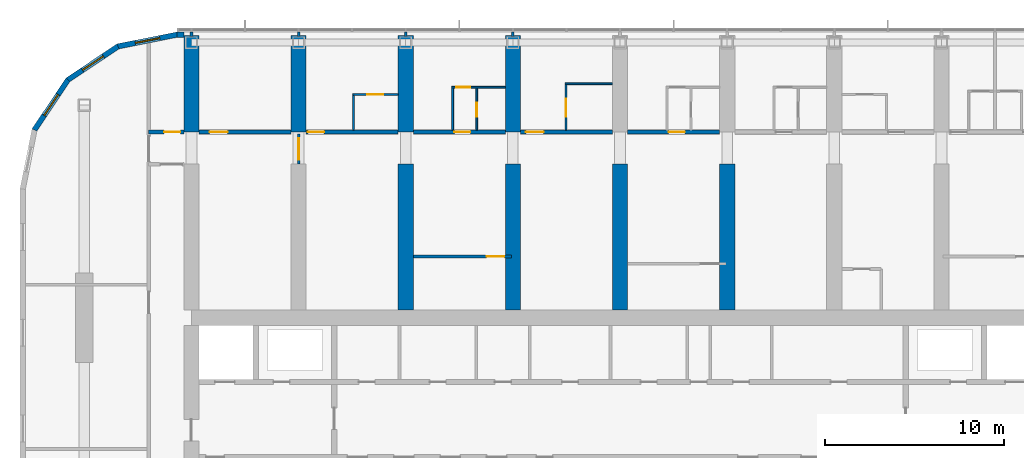
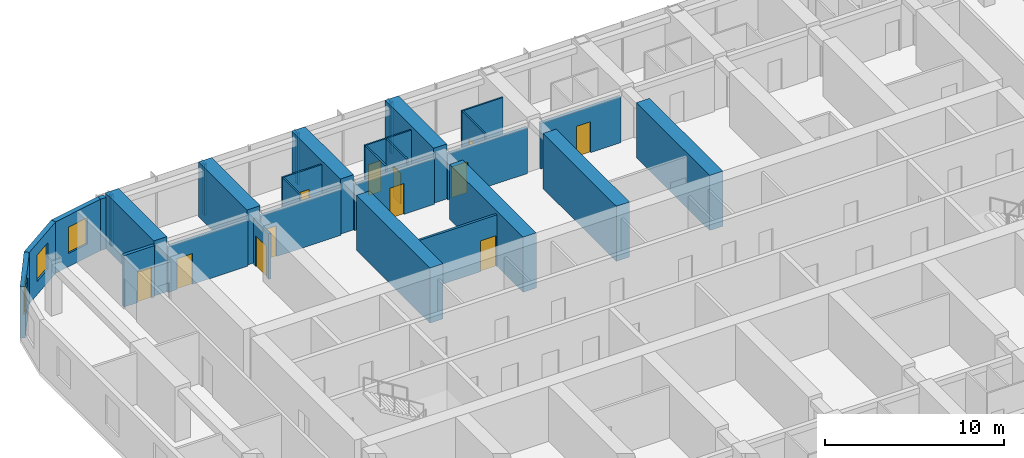
# One storey, part 15 of 22: 31 walls, 12 doors, 3 windows, 15 openings.
"""IFC4 building model written with IfcOpenShell, lengths in metres."""

from ifc_helpers import new_model, si_unit, direction, frame, frame_2d, origin, place, context, subcontext, project, spatial, polyline, rectangle, outline, extrude, material, layer, layer_set, type_object, element, fill, save


model = new_model("IFC4")

# Units and contexts
model_context = context("Model", 3, precision=1e-05, world=origin(), true_north=direction((0.0, 1.0)))
body_context = subcontext(model_context, "Body", "Model", "MODEL_VIEW")
ifc_project = project(units=[si_unit("LENGTHUNIT", "METRE"), si_unit("AREAUNIT", "SQUARE_METRE"), si_unit("VOLUMEUNIT", "CUBIC_METRE"), si_unit("PLANEANGLEUNIT", "RADIAN"), si_unit("MASSUNIT", "GRAM", prefix="KILO")], contexts=[model_context])

# Site, building, storey
site_placement = place(None, origin())
site = spatial("IfcSite", under=ifc_project, at=site_placement, CompositionType="ELEMENT")
building_placement = place(site_placement, origin())
building = spatial("IfcBuilding", under=site, at=building_placement, Name="Orbita Commons", CompositionType="ELEMENT")
storey_placement = place(building_placement, frame((0.0, 0.0, 156.10009765625)))
storey = spatial("IfcBuildingStorey", under=building, at=storey_placement, Name="L38", CompositionType="ELEMENT", Elevation=156.10009765625)

# Wall, opening, door
ifc_material_1 = material(Name="Concrete blockwork", Category="masonry")
ifc_layer_1 = layer(ifc_material_1, 0.199951171875)
ifc_layer_set_1 = layer_set([ifc_layer_1], Name="Concrete blockwork")
wall_type_1 = type_object("IfcWallType", Name="Corridor wall 200 blockwork", PredefinedType="SOLIDWALL", material=ifc_layer_set_1)
wall_1_placement = place(storey_placement, frame((15.60009765625, 48.60009765625, 0.0), z_axis=(0.0, 0.0, 1.0), x_axis=(1.0, 0.0, 0.0)))
wall_1 = element("IfcWall", 1, at=wall_1_placement, inside=storey, type_object=wall_type_1, Name="Corridor wall 200 blockwork L38", PredefinedType="SOLIDWALL", context=body_context, shape_type="SweptSolid", body=[
    extrude(rectangle(XDim=1.974853515625, YDim=0.199951171875, at=frame_2d((0.9873046875, 0.0))), origin(), (0.0, 0.0, 1.0), 3.5),
])
opening_1_placement = place(wall_1_placement, frame((0.875, 0.0, 0.0)))
opening_1 = element("IfcOpeningElement", 2, at=opening_1_placement, cuts=wall_1, Name="Opening D05", PredefinedType="OPENING", context=body_context, shape_type="SweptSolid", body=[
    extrude(rectangle(XDim=0.89990234375, YDim=2.10009765625, at=frame_2d((0.449951171875, 1.050048828125))), frame((0.0, 0.10986328125, 0.0), z_axis=(0.0, -1.0, 0.0), x_axis=(1.0, 0.0, 0.0)), (0.0, 0.0, 1.0), 0.219970703125),
])
ifc_material_2 = material(Name="Steel-faced fire door leaf", Category="steel")
door_type_1 = type_object("IfcDoorType", Name="Service door 20 min 900x2100", OperationType="SINGLE_SWING_LEFT", PredefinedType="DOOR", material=ifc_material_2)
door_1_placement = place(opening_1_placement, origin())
door_1 = element("IfcDoor", 3, at=door_1_placement, inside=storey, type_object=door_type_1, Name="Linen store L38-KWN door", OperationType="SINGLE_SWING_LEFT", OverallHeight=2.10009765625, OverallWidth=0.89990234375, PredefinedType="DOOR", context=body_context, shape_type="SweptSolid", body=[
    extrude(rectangle(XDim=0.89990234375, YDim=2.10009765625, at=frame_2d((0.449951171875, 1.050048828125))), frame((0.0, 0.02490234375, 0.0), z_axis=(0.0, -1.0, 0.0), x_axis=(1.0, 0.0, 0.0)), (0.0, 0.0, 1.0), 0.050048828125),
])
fill(opening_1, door_1)

wall_2_placement = place(storey_placement, frame((18.425048828125, 48.60009765625, 0.0), z_axis=(0.0, 0.0, 1.0), x_axis=(1.0, 0.0, 0.0)))
wall_2 = element("IfcWall", 4, at=wall_2_placement, inside=storey, type_object=wall_type_1, Name="Corridor wall 200 blockwork L38", PredefinedType="SOLIDWALL", context=body_context, shape_type="SweptSolid", body=[
    extrude(outline(polyline([(0.0, 0.0), (5.14990234375, 0.0), (5.14990234375, 3.099853515625), (0.0, 3.099853515625), (0.0, 0.0)])), frame((0.0, 0.10009765625, 0.0), z_axis=(0.0, -1.0, 0.0), x_axis=(1.0, 0.0, 0.0)), (0.0, 0.0, 1.0), 0.199951171875),
])
opening_2_placement = place(wall_2_placement, frame((0.60009765625, 0.0, 0.0)))
opening_2 = element("IfcOpeningElement", 5, at=opening_2_placement, cuts=wall_2, Name="Opening D06", PredefinedType="OPENING", context=body_context, shape_type="SweptSolid", body=[
    extrude(rectangle(XDim=1.0, YDim=2.10009765625, at=frame_2d((0.5, 1.050048828125))), frame((0.0, 0.10986328125, 0.0), z_axis=(0.0, -1.0, 0.0), x_axis=(1.0, 0.0, 0.0)), (0.0, 0.0, 1.0), 0.219970703125),
])
ifc_material_3 = material(Name="Steel-faced fire door leaf", Category="steel")
door_type_2 = type_object("IfcDoorType", Name="Corridor door 20 min 1000x2100", OperationType="SINGLE_SWING_LEFT", PredefinedType="DOOR", material=ifc_material_3)
door_2_placement = place(opening_2_placement, origin())
door_2 = element("IfcDoor", 6, at=door_2_placement, inside=storey, type_object=door_type_2, Name="Sea-view lounge L38-N00 door", OperationType="SINGLE_SWING_LEFT", OverallHeight=2.10009765625, OverallWidth=1.0, PredefinedType="DOOR", context=body_context, shape_type="SweptSolid", body=[
    extrude(rectangle(XDim=1.0, YDim=2.10009765625, at=frame_2d((0.5, 1.050048828125))), frame((0.0, 0.02490234375, 0.0), z_axis=(0.0, -1.0, 0.0), x_axis=(1.0, 0.0, 0.0)), (0.0, 0.0, 1.0), 0.050048828125),
])
fill(opening_2, door_2)

wall_3_placement = place(storey_placement, frame((24.425048828125, 48.60009765625, 0.0), z_axis=(0.0, 0.0, 1.0), x_axis=(1.0, 0.0, 0.0)))
wall_3 = element("IfcWall", 7, at=wall_3_placement, inside=storey, type_object=wall_type_1, Name="Corridor wall 200 blockwork L38", PredefinedType="SOLIDWALL", context=body_context, shape_type="SweptSolid", body=[
    extrude(outline(polyline([(0.0, 0.0), (5.14990234375, 0.0), (5.14990234375, 3.099853515625), (0.0, 3.099853515625), (0.0, 0.0)])), frame((0.0, 0.10009765625, 0.0), z_axis=(0.0, -1.0, 0.0), x_axis=(1.0, 0.0, 0.0)), (0.0, 0.0, 1.0), 0.199951171875),
])
opening_3_placement = place(wall_3_placement, frame((0.10009765625, 0.0, 0.0)))
opening_3 = element("IfcOpeningElement", 8, at=opening_3_placement, cuts=wall_3, Name="Opening D11", PredefinedType="OPENING", context=body_context, shape_type="SweptSolid", body=[
    extrude(rectangle(XDim=0.89990234375, YDim=2.10009765625, at=frame_2d((0.449951171875, 1.050048828125))), frame((0.0, 0.10986328125, 0.0), z_axis=(0.0, -1.0, 0.0), x_axis=(1.0, 0.0, 0.0)), (0.0, 0.0, 1.0), 0.219970703125),
])
ifc_material_4 = material(Name="Steel-faced fire door leaf", Category="steel")
door_type_3 = type_object("IfcDoorType", Name="Corridor door 20 min 900x2100", OperationType="SINGLE_SWING_LEFT", PredefinedType="DOOR", material=ifc_material_4)
door_3_placement = place(opening_3_placement, origin())
door_3 = element("IfcDoor", 9, at=door_3_placement, inside=storey, type_object=door_type_3, Name="Twin room L38-N02 door", OperationType="SINGLE_SWING_LEFT", OverallHeight=2.10009765625, OverallWidth=0.89990234375, PredefinedType="DOOR", context=body_context, shape_type="SweptSolid", body=[
    extrude(rectangle(XDim=0.89990234375, YDim=2.10009765625, at=frame_2d((0.449951171875, 1.050048828125))), frame((0.0, 0.02490234375, 0.0), z_axis=(0.0, -1.0, 0.0), x_axis=(1.0, 0.0, 0.0)), (0.0, 0.0, 1.0), 0.050048828125),
])
fill(opening_3, door_3)

wall_4_placement = place(storey_placement, frame((30.425048828125, 48.60009765625, 0.0), z_axis=(0.0, 0.0, 1.0), x_axis=(1.0, 0.0, 0.0)))
wall_4 = element("IfcWall", 10, at=wall_4_placement, inside=storey, type_object=wall_type_1, Name="Corridor wall 200 blockwork L38", PredefinedType="SOLIDWALL", context=body_context, shape_type="SweptSolid", body=[
    extrude(outline(polyline([(0.0, 0.0), (5.14990234375, 0.0), (5.14990234375, 3.099853515625), (0.0, 3.099853515625), (0.0, 0.0)])), frame((0.0, 0.10009765625, 0.0), z_axis=(0.0, -1.0, 0.0), x_axis=(1.0, 0.0, 0.0)), (0.0, 0.0, 1.0), 0.199951171875),
])
opening_4_placement = place(wall_4_placement, frame((2.300048828125, 0.0, 0.0)))
opening_4 = element("IfcOpeningElement", 11, at=opening_4_placement, cuts=wall_4, Name="Opening D11", PredefinedType="OPENING", context=body_context, shape_type="SweptSolid", body=[
    extrude(rectangle(XDim=0.89990234375, YDim=2.10009765625, at=frame_2d((0.449951171875, 1.050048828125))), frame((0.0, 0.10986328125, 0.0), z_axis=(0.0, -1.0, 0.0), x_axis=(1.0, 0.0, 0.0)), (0.0, 0.0, 1.0), 0.219970703125),
])
door_4_placement = place(opening_4_placement, origin())
door_4 = element("IfcDoor", 12, at=door_4_placement, inside=storey, type_object=door_type_3, Name="Studio flat L38-N04 entrance door", OperationType="SINGLE_SWING_LEFT", OverallHeight=2.10009765625, OverallWidth=0.89990234375, PredefinedType="DOOR", context=body_context, shape_type="SweptSolid", body=[
    extrude(rectangle(XDim=0.89990234375, YDim=2.10009765625, at=frame_2d((0.449951171875, 1.050048828125))), frame((0.0, 0.02490234375, 0.0), z_axis=(0.0, -1.0, 0.0), x_axis=(1.0, 0.0, 0.0)), (0.0, 0.0, 1.0), 0.050048828125),
])
fill(opening_4, door_4)

wall_5_placement = place(storey_placement, frame((36.425048828125, 48.60009765625, 0.0), z_axis=(0.0, 0.0, 1.0), x_axis=(1.0, 0.0, 0.0)))
wall_5 = element("IfcWall", 13, at=wall_5_placement, inside=storey, type_object=wall_type_1, Name="Corridor wall 200 blockwork L38", PredefinedType="SOLIDWALL", context=body_context, shape_type="SweptSolid", body=[
    extrude(outline(polyline([(0.0, 0.0), (5.14990234375, 0.0), (5.14990234375, 3.099853515625), (0.0, 3.099853515625), (0.0, 0.0)])), frame((0.0, 0.10009765625, 0.0), z_axis=(0.0, -1.0, 0.0), x_axis=(1.0, 0.0, 0.0)), (0.0, 0.0, 1.0), 0.199951171875),
])
opening_5_placement = place(wall_5_placement, frame((0.300048828125, 0.0, 0.0)))
opening_5 = element("IfcOpeningElement", 14, at=opening_5_placement, cuts=wall_5, Name="Opening D06", PredefinedType="OPENING", context=body_context, shape_type="SweptSolid", body=[
    extrude(rectangle(XDim=1.0, YDim=2.10009765625, at=frame_2d((0.5, 1.050048828125))), frame((0.0, 0.10986328125, 0.0), z_axis=(0.0, -1.0, 0.0), x_axis=(1.0, 0.0, 0.0)), (0.0, 0.0, 1.0), 0.219970703125),
])
door_5_placement = place(opening_5_placement, origin())
door_5 = element("IfcDoor", 15, at=door_5_placement, inside=storey, type_object=door_type_2, Name="Accessible bedroom L38-N06 door", OperationType="SINGLE_SWING_LEFT", OverallHeight=2.10009765625, OverallWidth=1.0, PredefinedType="DOOR", context=body_context, shape_type="SweptSolid", body=[
    extrude(rectangle(XDim=1.0, YDim=2.10009765625, at=frame_2d((0.5, 1.050048828125))), frame((0.0, 0.02490234375, 0.0), z_axis=(0.0, -1.0, 0.0), x_axis=(1.0, 0.0, 0.0)), (0.0, 0.0, 1.0), 0.050048828125),
])
fill(opening_5, door_5)

wall_6_placement = place(storey_placement, frame((42.425048828125, 48.60009765625, 0.0), z_axis=(0.0, 0.0, 1.0), x_axis=(1.0, 0.0, 0.0)))
wall_6 = element("IfcWall", 16, at=wall_6_placement, inside=storey, type_object=wall_type_1, Name="Corridor wall 200 blockwork L38", PredefinedType="SOLIDWALL", context=body_context, shape_type="SweptSolid", body=[
    extrude(outline(polyline([(0.0, 0.0), (5.14990234375, 0.0), (5.14990234375, 3.099853515625), (0.0, 3.099853515625), (0.0, 0.0)])), frame((0.0, 0.10009765625, 0.0), z_axis=(0.0, -1.0, 0.0), x_axis=(1.0, 0.0, 0.0)), (0.0, 0.0, 1.0), 0.199951171875),
])
opening_6_placement = place(wall_6_placement, frame((2.300048828125, 0.0, 0.0)))
opening_6 = element("IfcOpeningElement", 17, at=opening_6_placement, cuts=wall_6, Name="Opening D11", PredefinedType="OPENING", context=body_context, shape_type="SweptSolid", body=[
    extrude(rectangle(XDim=0.89990234375, YDim=2.10009765625, at=frame_2d((0.449951171875, 1.050048828125))), frame((0.0, 0.10986328125, 0.0), z_axis=(0.0, -1.0, 0.0), x_axis=(1.0, 0.0, 0.0)), (0.0, 0.0, 1.0), 0.219970703125),
])
door_6_placement = place(opening_6_placement, origin())
door_6 = element("IfcDoor", 18, at=door_6_placement, inside=storey, type_object=door_type_3, Name="Studio flat L38-N08 entrance door", OperationType="SINGLE_SWING_LEFT", OverallHeight=2.10009765625, OverallWidth=0.89990234375, PredefinedType="DOOR", context=body_context, shape_type="SweptSolid", body=[
    extrude(rectangle(XDim=0.89990234375, YDim=2.10009765625, at=frame_2d((0.449951171875, 1.050048828125))), frame((0.0, 0.02490234375, 0.0), z_axis=(0.0, -1.0, 0.0), x_axis=(1.0, 0.0, 0.0)), (0.0, 0.0, 1.0), 0.050048828125),
])
fill(opening_6, door_6)

# Walls
ifc_material_5 = material(Name="Concrete C50/60", Category="concrete")
ifc_layer_2 = layer(ifc_material_5, 0.85009765625)
ifc_layer_set_2 = layer_set([ifc_layer_2], Name="Concrete C50/60")
wall_type_2 = type_object("IfcWallType", Name="Cross wall 850 C50/60", PredefinedType="SHEAR", material=ifc_layer_set_2)
for number, where, z_axis, x_axis, name in (
    (19, (18.0, 48.60009765625, 0.0), (0.0, 0.0, 1.0), (0.0, 1.0, 0.0), "Cross wall 4 north outer L38"),
    (20, (24.0, 48.60009765625, 0.0), (0.0, 0.0, 1.0), (0.0, 1.0, 0.0), "Cross wall 5 north outer L38"),
    (21, (30.0, 48.60009765625, 0.0), (0.0, 0.0, 1.0), (0.0, 1.0, 0.0), "Cross wall 6 north outer L38"),
):
    element("IfcWall", number, at=place(storey_placement, frame(where, z_axis=z_axis, x_axis=x_axis)), inside=storey, type_object=wall_type_2, Name=name, PredefinedType="SHEAR", context=body_context, shape_type="SweptSolid", body=[
        extrude(rectangle(XDim=5.39990234375, YDim=0.85009765625, at=frame_2d((2.699951171875, 0.0))), origin(), (0.0, 0.0, 1.0), 3.75),
    ])
wall_7_placement = place(storey_placement, frame((30.0, 38.625, 0.0), z_axis=(0.0, 0.0, 1.0), x_axis=(0.0, 1.0, 0.0)))
element("IfcWall", 22, at=wall_7_placement, inside=storey, type_object=wall_type_2, Name="Cross wall 6 north inner L38", PredefinedType="SHEAR", context=body_context, shape_type="SweptSolid", body=[
    extrude(rectangle(XDim=8.175048828125, YDim=0.85009765625, at=frame_2d((4.08740234375, 0.0))), origin(), (0.0, 0.0, 1.0), 3.75),
])
wall_8_placement = place(storey_placement, frame((36.0, 48.60009765625, 0.0), z_axis=(0.0, 0.0, 1.0), x_axis=(0.0, 1.0, 0.0)))
element("IfcWall", 23, at=wall_8_placement, inside=storey, type_object=wall_type_2, Name="Cross wall 7 north outer L38", PredefinedType="SHEAR", context=body_context, shape_type="SweptSolid", body=[
    extrude(rectangle(XDim=5.39990234375, YDim=0.85009765625, at=frame_2d((2.699951171875, 0.0))), origin(), (0.0, 0.0, 1.0), 3.75),
])
for number, where, z_axis, x_axis, name in (
    (24, (36.0, 38.625, 0.0), (0.0, 0.0, 1.0), (0.0, 1.0, 0.0), "Cross wall 7 north inner L38"),
    (25, (42.0, 38.625, 0.0), (0.0, 0.0, 1.0), (0.0, 1.0, 0.0), "Cross wall 8 north inner L38"),
    (26, (48.0, 38.625, 0.0), (0.0, 0.0, 1.0), (0.0, 1.0, 0.0), "Cross wall 9 north inner L38"),
):
    element("IfcWall", number, at=place(storey_placement, frame(where, z_axis=z_axis, x_axis=x_axis)), inside=storey, type_object=wall_type_2, Name=name, PredefinedType="SHEAR", context=body_context, shape_type="SweptSolid", body=[
        extrude(rectangle(XDim=8.175048828125, YDim=0.85009765625, at=frame_2d((4.08740234375, 0.0))), origin(), (0.0, 0.0, 1.0), 3.75),
    ])

# Wall, opening, door
ifc_material_6 = material(Name="Moisture-resistant plasterboard on steel studs", Category="steel")
ifc_layer_3 = layer(ifc_material_6, 0.10009765625)
ifc_layer_set_3 = layer_set([ifc_layer_3], Name="Moisture-resistant plasterboard on steel studs")
wall_type_3 = type_object("IfcWallType", Name="En-suite partition 100", PredefinedType="PARTITIONING", material=ifc_layer_set_3)
wall_9_placement = place(storey_placement, frame((27.02490234375, 50.699951171875, 0.0), z_axis=(0.0, 0.0, 1.0), x_axis=(1.0, 0.0, 0.0)))
wall_9 = element("IfcWall", 27, at=wall_9_placement, inside=storey, type_object=wall_type_3, Name="En-suite partition 100 L38", PredefinedType="PARTITIONING", context=body_context, shape_type="SweptSolid", body=[
    extrude(rectangle(XDim=2.550048828125, YDim=0.10009765625, at=frame_2d((1.27490234375, 0.0))), origin(), (0.0, 0.0, 1.0), 3.5),
])
opening_7_placement = place(wall_9_placement, frame((0.824951171875, 0.0, 0.0)))
opening_7 = element("IfcOpeningElement", 28, at=opening_7_placement, cuts=wall_9, Name="Opening D09", PredefinedType="OPENING", context=body_context, shape_type="SweptSolid", body=[
    extrude(rectangle(XDim=0.89990234375, YDim=2.10009765625, at=frame_2d((0.449951171875, 1.050048828125))), frame((0.0, 0.06005859375, 0.0), z_axis=(0.0, -1.0, 0.0), x_axis=(1.0, 0.0, 0.0)), (0.0, 0.0, 1.0), 0.1201171875),
])
ifc_material_7 = material(Name="Laminated timber door leaf", Category="wood")
door_type_4 = type_object("IfcDoorType", Name="En-suite door 900x2100", OperationType="SINGLE_SWING_RIGHT", PredefinedType="DOOR", material=ifc_material_7)
door_7_placement = place(opening_7_placement, origin())
door_7 = element("IfcDoor", 29, at=door_7_placement, inside=storey, type_object=door_type_4, Name="En-suite L38-N02 door", OperationType="SINGLE_SWING_RIGHT", OverallHeight=2.10009765625, OverallWidth=0.89990234375, PredefinedType="DOOR", context=body_context, shape_type="SweptSolid", body=[
    extrude(rectangle(XDim=0.89990234375, YDim=2.10009765625, at=frame_2d((0.449951171875, 1.050048828125))), frame((0.0, 0.02490234375, 0.0), z_axis=(0.0, -1.0, 0.0), x_axis=(1.0, 0.0, 0.0)), (0.0, 0.0, 1.0), 0.050048828125),
])
fill(opening_7, door_7)

# Wall
wall_10_placement = place(storey_placement, frame((27.074951171875, 50.64990234375, 0.0), z_axis=(0.0, 0.0, 1.0), x_axis=(0.0, -1.0, 0.0)))
element("IfcWall", 30, at=wall_10_placement, inside=storey, type_object=wall_type_3, Name="En-suite partition 100 L38", PredefinedType="PARTITIONING", context=body_context, shape_type="SweptSolid", body=[
    extrude(outline(polyline([(0.0, 0.0), (1.949951171875, 0.0), (1.949951171875, 3.099853515625), (1.902099609375, 3.099853515625), (1.89990234375, 3.5), (0.0, 3.5), (0.0, 0.0)])), frame((0.0, 0.050048828125, 0.0), z_axis=(0.0, -1.0, 0.0), x_axis=(1.0, 0.0, 0.0)), (0.0, 0.0, 1.0), 0.10009765625),
])

# Wall, opening, door
wall_11_placement = place(storey_placement, frame((32.574951171875, 51.10009765625, 0.0), z_axis=(0.0, 0.0, 1.0), x_axis=(1.0, 0.0, 0.0)))
wall_11 = element("IfcWall", 31, at=wall_11_placement, inside=storey, type_object=wall_type_3, Name="En-suite partition 100 L38", PredefinedType="PARTITIONING", context=body_context, shape_type="SweptSolid", body=[
    extrude(rectangle(XDim=3.0, YDim=0.10009765625, at=frame_2d((1.5, 0.0))), origin(), (0.0, 0.0, 1.0), 3.5),
])
opening_8_placement = place(wall_11_placement, frame((0.25, 0.0, 0.0)))
opening_8 = element("IfcOpeningElement", 32, at=opening_8_placement, cuts=wall_11, Name="Opening D16", PredefinedType="OPENING", context=body_context, shape_type="SweptSolid", body=[
    extrude(rectangle(XDim=0.800048828125, YDim=2.10009765625, at=frame_2d((0.39990234375, 1.050048828125))), frame((0.0, 0.06005859375, 0.0), z_axis=(0.0, -1.0, 0.0), x_axis=(1.0, 0.0, 0.0)), (0.0, 0.0, 1.0), 0.1201171875),
])
ifc_material_8 = material(Name="Laminated timber door leaf", Category="wood")
door_type_5 = type_object("IfcDoorType", Name="En-suite door 800x2100", OperationType="SINGLE_SWING_RIGHT", PredefinedType="DOOR", material=ifc_material_8)
door_8_placement = place(opening_8_placement, origin())
door_8 = element("IfcDoor", 33, at=door_8_placement, inside=storey, type_object=door_type_5, Name="Studio flat L38-N04 door", OperationType="SINGLE_SWING_RIGHT", OverallHeight=2.10009765625, OverallWidth=0.800048828125, PredefinedType="DOOR", context=body_context, shape_type="SweptSolid", body=[
    extrude(rectangle(XDim=0.800048828125, YDim=2.10009765625, at=frame_2d((0.39990234375, 1.050048828125))), frame((0.0, 0.02490234375, 0.0), z_axis=(0.0, -1.0, 0.0), x_axis=(1.0, 0.0, 0.0)), (0.0, 0.0, 1.0), 0.050048828125),
])
fill(opening_8, door_8)

# Wall
wall_12_placement = place(storey_placement, frame((32.625, 51.050048828125, 0.0), z_axis=(0.0, 0.0, 1.0), x_axis=(0.0, -1.0, 0.0)))
element("IfcWall", 34, at=wall_12_placement, inside=storey, type_object=wall_type_3, Name="En-suite partition 100 L38", PredefinedType="PARTITIONING", context=body_context, shape_type="SweptSolid", body=[
    extrude(outline(polyline([(0.0, 0.0), (2.35009765625, 0.0), (2.35009765625, 3.099853515625), (2.302001953125, 3.099853515625), (2.300048828125, 3.5), (0.0, 3.5), (0.0, 0.0)])), frame((0.0, 0.050048828125, 0.0), z_axis=(0.0, -1.0, 0.0), x_axis=(1.0, 0.0, 0.0)), (0.0, 0.0, 1.0), 0.10009765625),
])

# Wall, opening, door
wall_13_placement = place(storey_placement, frame((33.97509765625, 51.050048828125, 0.0), z_axis=(0.0, 0.0, 1.0), x_axis=(0.0, -1.0, 0.0)))
wall_13 = element("IfcWall", 35, at=wall_13_placement, inside=storey, type_object=wall_type_3, Name="En-suite partition 100 L38", PredefinedType="PARTITIONING", context=body_context, shape_type="SweptSolid", body=[
    extrude(outline(polyline([(0.0, 0.0), (2.35009765625, 0.0), (2.35009765625, 3.099853515625), (2.302001953125, 3.099853515625), (2.300048828125, 3.5), (0.0, 3.5), (0.0, 0.0)])), frame((0.0, 0.050048828125, 0.0), z_axis=(0.0, -1.0, 0.0), x_axis=(1.0, 0.0, 0.0)), (0.0, 0.0, 1.0), 0.10009765625),
])
opening_9_placement = place(wall_13_placement, frame((0.800048828125, 0.0, 0.0)))
opening_9 = element("IfcOpeningElement", 36, at=opening_9_placement, cuts=wall_13, Name="Opening D16", PredefinedType="OPENING", context=body_context, shape_type="SweptSolid", body=[
    extrude(rectangle(XDim=0.800048828125, YDim=2.10009765625, at=frame_2d((0.39990234375, 1.050048828125))), frame((0.0, 0.06005859375, 0.0), z_axis=(0.0, -1.0, 0.0), x_axis=(1.0, 0.0, 0.0)), (0.0, 0.0, 1.0), 0.1201171875),
])
door_9_placement = place(opening_9_placement, origin())
door_9 = element("IfcDoor", 37, at=door_9_placement, inside=storey, type_object=door_type_5, Name="Studio flat shower room L38-N04 door", OperationType="SINGLE_SWING_RIGHT", OverallHeight=2.10009765625, OverallWidth=0.800048828125, PredefinedType="DOOR", context=body_context, shape_type="SweptSolid", body=[
    extrude(rectangle(XDim=0.800048828125, YDim=2.10009765625, at=frame_2d((0.39990234375, 1.050048828125))), frame((0.0, 0.02490234375, 0.0), z_axis=(0.0, -1.0, 0.0), x_axis=(1.0, 0.0, 0.0)), (0.0, 0.0, 1.0), 0.050048828125),
])
fill(opening_9, door_9)

# Wall
wall_14_placement = place(storey_placement, frame((38.925048828125, 51.300048828125, 0.0), z_axis=(0.0, 0.0, 1.0), x_axis=(1.0, 0.0, 0.0)))
element("IfcWall", 38, at=wall_14_placement, inside=storey, type_object=wall_type_3, Name="En-suite partition 100 L38", PredefinedType="PARTITIONING", context=body_context, shape_type="SweptSolid", body=[
    extrude(rectangle(XDim=2.64990234375, YDim=0.10009765625, at=frame_2d((1.324951171875, 0.0))), origin(), (0.0, 0.0, 1.0), 3.5),
])

# Wall, opening, door
wall_15_placement = place(storey_placement, frame((38.97509765625, 51.25, 0.0), z_axis=(0.0, 0.0, 1.0), x_axis=(0.0, -1.0, 0.0)))
wall_15 = element("IfcWall", 39, at=wall_15_placement, inside=storey, type_object=wall_type_3, Name="En-suite partition 100 L38", PredefinedType="PARTITIONING", context=body_context, shape_type="SweptSolid", body=[
    extrude(outline(polyline([(0.0, 0.0), (2.550048828125, 0.0), (2.550048828125, 3.099853515625), (2.501953125, 3.099853515625), (2.5, 3.5), (0.0, 3.5), (0.0, 0.0)])), frame((0.0, 0.050048828125, 0.0), z_axis=(0.0, -1.0, 0.0), x_axis=(1.0, 0.0, 0.0)), (0.0, 0.0, 1.0), 0.10009765625),
])
opening_10_placement = place(wall_15_placement, frame((0.800048828125, 0.0, 0.0)))
opening_10 = element("IfcOpeningElement", 40, at=opening_10_placement, cuts=wall_15, Name="Opening D13", PredefinedType="OPENING", context=body_context, shape_type="SweptSolid", body=[
    extrude(rectangle(XDim=1.0, YDim=2.10009765625, at=frame_2d((0.5, 1.050048828125))), frame((0.0, 0.06005859375, 0.0), z_axis=(0.0, -1.0, 0.0), x_axis=(1.0, 0.0, 0.0)), (0.0, 0.0, 1.0), 0.1201171875),
])
ifc_material_9 = material(Name="Laminated timber door leaf", Category="wood")
door_type_6 = type_object("IfcDoorType", Name="En-suite door 1000x2100", OperationType="SINGLE_SWING_RIGHT", PredefinedType="DOOR", material=ifc_material_9)
door_10_placement = place(opening_10_placement, origin())
door_10 = element("IfcDoor", 41, at=door_10_placement, inside=storey, type_object=door_type_6, Name="Accessible shower room L38-N06 door", OperationType="SINGLE_SWING_RIGHT", OverallHeight=2.10009765625, OverallWidth=1.0, PredefinedType="DOOR", context=body_context, shape_type="SweptSolid", body=[
    extrude(rectangle(XDim=1.0, YDim=2.10009765625, at=frame_2d((0.5, 1.050048828125))), frame((0.0, 0.02490234375, 0.0), z_axis=(0.0, -1.0, 0.0), x_axis=(1.0, 0.0, 0.0)), (0.0, 0.0, 1.0), 0.050048828125),
])
fill(opening_10, door_10)

ifc_material_10 = material(Name="Gypsum plasterboard on steel studs", Category="steel")
ifc_layer_4 = layer(ifc_material_10, 0.14990234375)
ifc_layer_set_4 = layer_set([ifc_layer_4], Name="Gypsum plasterboard on steel studs")
wall_type_4 = type_object("IfcWallType", Name="Partition 150 plasterboard", PredefinedType="PARTITIONING", material=ifc_layer_set_4)
wall_16_placement = place(storey_placement, frame((35.925048828125, 41.625, 0.0), z_axis=(0.0, 0.0, 1.0), x_axis=(-1.0, 0.0, 0.0)))
wall_16 = element("IfcWall", 42, at=wall_16_placement, inside=storey, type_object=wall_type_4, Name="Partition 150 plasterboard L38", PredefinedType="PARTITIONING", context=body_context, shape_type="SweptSolid", body=[
    extrude(rectangle(XDim=5.5, YDim=0.14990234375, at=frame_2d((2.75, 0.0))), origin(), (0.0, 0.0, 1.0), 3.5),
])
opening_11_placement = place(wall_16_placement, frame((0.39990234375, 0.0, 0.0)))
opening_11 = element("IfcOpeningElement", 43, at=opening_11_placement, cuts=wall_16, Name="Opening D17", PredefinedType="OPENING", context=body_context, shape_type="SweptSolid", body=[
    extrude(rectangle(XDim=1.0, YDim=2.10009765625, at=frame_2d((0.5, 1.050048828125))), frame((0.0, 0.0849609375, 0.0), z_axis=(0.0, -1.0, 0.0), x_axis=(1.0, 0.0, 0.0)), (0.0, 0.0, 1.0), 0.169921875),
])
ifc_material_11 = material(Name="Steel-faced fire door leaf", Category="steel")
door_type_7 = type_object("IfcDoorType", Name="Shaft access door 90 min 1000x2100", OperationType="SINGLE_SWING_LEFT", PredefinedType="DOOR", material=ifc_material_11)
door_11_placement = place(opening_11_placement, origin())
door_11 = element("IfcDoor", 44, at=door_11_placement, inside=storey, type_object=door_type_7, Name="Ventilation plant room north L38-BDN30 door", OperationType="SINGLE_SWING_LEFT", OverallHeight=2.10009765625, OverallWidth=1.0, PredefinedType="DOOR", context=body_context, shape_type="SweptSolid", body=[
    extrude(rectangle(XDim=1.0, YDim=2.10009765625, at=frame_2d((0.5, 1.050048828125))), frame((0.0, 0.02490234375, 0.0), z_axis=(0.0, -1.0, 0.0), x_axis=(1.0, 0.0, 0.0)), (0.0, 0.0, 1.0), 0.050048828125),
])
fill(opening_11, door_11)

wall_17_placement = place(storey_placement, frame((24.0, 46.800048828125, 0.0), z_axis=(0.0, 0.0, 1.0), x_axis=(0.0, 1.0, 0.0)))
wall_17 = element("IfcWall", 45, at=wall_17_placement, inside=storey, type_object=wall_type_4, Name="Partition 150 plasterboard L38", PredefinedType="PARTITIONING", context=body_context, shape_type="SweptSolid", body=[
    extrude(outline(polyline([(0.0, 0.0), (1.699951171875, 0.0), (1.699951171875, 3.099853515625), (0.0, 3.099853515625), (0.0, 0.0)])), frame((0.0, 0.074951171875, 0.0), z_axis=(0.0, -1.0, 0.0), x_axis=(1.0, 0.0, 0.0)), (0.0, 0.0, 1.0), 0.14990234375),
])
opening_12_placement = place(wall_17_placement, frame((0.25, 0.0, 0.0)))
opening_12 = element("IfcOpeningElement", 46, at=opening_12_placement, cuts=wall_17, Name="Opening D12", PredefinedType="OPENING", context=body_context, shape_type="SweptSolid", body=[
    extrude(rectangle(XDim=1.199951171875, YDim=2.10009765625, at=frame_2d((0.60009765625, 1.050048828125))), frame((0.0, 0.0849609375, 0.0), z_axis=(0.0, -1.0, 0.0), x_axis=(1.0, 0.0, 0.0)), (0.0, 0.0, 1.0), 0.169921875),
])
ifc_material_12 = material(Name="Steel-faced fire door leaf", Category="steel")
door_type_8 = type_object("IfcDoorType", Name="Double corridor door 20 min 1200x2100", OperationType="DOUBLE_DOOR_SINGLE_SWING", PredefinedType="DOOR", material=ifc_material_12)
door_12_placement = place(opening_12_placement, origin())
door_12 = element("IfcDoor", 47, at=door_12_placement, inside=storey, type_object=door_type_8, Name="Social spine north screen doors", OperationType="DOUBLE_DOOR_SINGLE_SWING", OverallHeight=2.10009765625, OverallWidth=1.199951171875, PredefinedType="DOOR", context=body_context, shape_type="SweptSolid", body=[
    extrude(rectangle(XDim=1.199951171875, YDim=2.10009765625, at=frame_2d((0.60009765625, 1.050048828125))), frame((0.0, 0.02490234375, 0.0), z_axis=(0.0, -1.0, 0.0), x_axis=(1.0, 0.0, 0.0)), (0.0, 0.0, 1.0), 0.050048828125),
])
fill(opening_12, door_12)

# Walls
for number, where, z_axis, x_axis, name in (
    (48, (18.0, 53.949951171875, 0.0), (0.0, 0.0, 1.0), (0.0, 1.0, 0.0), "Partition 150 plasterboard L38"),
    (49, (24.0, 53.949951171875, 0.0), (0.0, 0.0, 1.0), (0.0, 1.0, 0.0), "Partition 150 plasterboard L38"),
    (50, (30.0, 53.949951171875, 0.0), (0.0, 0.0, 1.0), (0.0, 1.0, 0.0), "Partition 150 plasterboard L38"),
    (51, (36.0, 53.949951171875, 0.0), (0.0, 0.0, 1.0), (0.0, 1.0, 0.0), "Partition 150 plasterboard L38"),
):
    element("IfcWall", number, at=place(storey_placement, frame(where, z_axis=z_axis, x_axis=x_axis)), inside=storey, type_object=wall_type_4, Name=name, PredefinedType="PARTITIONING", context=body_context, shape_type="SweptSolid", body=[
        extrude(rectangle(XDim=0.239990234375, YDim=0.14990234375, at=frame_2d((0.1201171875, 0.0))), origin(), (0.0, 0.0, 1.0), 3.5),
    ])

# Wall, opening, window
ifc_material_13 = material(Name="Precast concrete C40/50, white board-marked finish", Category="concrete")
ifc_layer_5 = layer(ifc_material_13, 0.300048828125)
ifc_layer_set_5 = layer_set([ifc_layer_5], Name="Precast concrete C40/50, white board-marked finish")
wall_type_5 = type_object("IfcWallType", Name="Precast concrete end shield 300", PredefinedType="SOLIDWALL", material=ifc_layer_set_5)
wall_18_placement = place(storey_placement, frame((17.199951171875, 54.050048828125, 0.0), z_axis=(0.0, 0.0, 1.0), x_axis=(-0.98078325777, -0.195100490205, 0.0)))
wall_18 = element("IfcWall", 52, at=wall_18_placement, inside=storey, type_object=wall_type_5, Name="End shield NW chord 1 L38", PredefinedType="SOLIDWALL", context=body_context, shape_type="SweptSolid", body=[
    extrude(outline(polyline([(-0.02978515625, -0.14990234375), (3.40478515625, -0.14990234375), (3.34521484375, 0.14990234375), (0.02978515625, 0.14990234375), (-0.02978515625, -0.14990234375)])), origin(), (0.0, 0.0, 1.0), 3.5),
])
opening_13_placement = place(wall_18_placement, frame((0.987548828125, 0.0, 0.89990234375)))
opening_13 = element("IfcOpeningElement", 53, at=opening_13_placement, cuts=wall_18, Name="Opening W02", PredefinedType="OPENING", context=body_context, shape_type="SweptSolid", body=[
    extrude(rectangle(XDim=1.39990234375, YDim=1.800048828125, at=frame_2d((0.699951171875, 0.89990234375))), frame((0.0, 0.159912109375, 0.0), z_axis=(0.0, -1.0, 0.0), x_axis=(1.0, 0.0, 0.0)), (0.0, 0.0, 1.0), 0.320068359375),
])
ifc_material_14 = material(Name="Aluminium frame, clear double glazing", Category="aluminium")
window_type = type_object("IfcWindowType", Name="Deep-set window 1400x1800", PartitioningType="SINGLE_PANEL", PredefinedType="WINDOW", material=ifc_material_14)
window_1_placement = place(opening_13_placement, origin())
window_1 = element("IfcWindow", 54, at=window_1_placement, inside=storey, type_object=window_type, Name="Window L38-NW0", OverallHeight=1.800048828125, OverallWidth=1.39990234375, PartitioningType="SINGLE_PANEL", PredefinedType="WINDOW", context=body_context, shape_type="SweptSolid", body=[
    extrude(rectangle(XDim=1.39990234375, YDim=1.800048828125, at=frame_2d((0.699951171875, 0.89990234375))), frame((0.0, 0.030029296875, 0.0), z_axis=(0.0, -1.0, 0.0), x_axis=(1.0, 0.0, 0.0)), (0.0, 0.0, 1.0), 0.06005859375),
])
fill(opening_13, window_1)

wall_19_placement = place(storey_placement, frame((13.889892578125, 53.3916015625, 0.0), z_axis=(0.0, 0.0, 1.0), x_axis=(-0.831493450887, -0.555534554399, 0.0)))
wall_19 = element("IfcWall", 55, at=wall_19_placement, inside=storey, type_object=wall_type_5, Name="End shield NW chord 2 L38", PredefinedType="SOLIDWALL", context=body_context, shape_type="SweptSolid", body=[
    extrude(outline(polyline([(-0.02978515625, -0.14990234375), (3.405029296875, -0.14990234375), (3.345458984375, 0.14990234375), (0.02978515625, 0.14990234375), (-0.02978515625, -0.14990234375)])), origin(), (0.0, 0.0, 1.0), 3.5),
])
opening_14_placement = place(wall_19_placement, frame((0.987548828125, 0.0, 0.89990234375)))
opening_14 = element("IfcOpeningElement", 56, at=opening_14_placement, cuts=wall_19, Name="Opening W02", PredefinedType="OPENING", context=body_context, shape_type="SweptSolid", body=[
    extrude(rectangle(XDim=1.39990234375, YDim=1.800048828125, at=frame_2d((0.699951171875, 0.89990234375))), frame((0.0, 0.159912109375, 0.0), z_axis=(0.0, -1.0, 0.0), x_axis=(1.0, 0.0, 0.0)), (0.0, 0.0, 1.0), 0.320068359375),
])
window_2_placement = place(opening_14_placement, origin())
window_2 = element("IfcWindow", 57, at=window_2_placement, inside=storey, type_object=window_type, Name="Window L38-NW1", OverallHeight=1.800048828125, OverallWidth=1.39990234375, PartitioningType="SINGLE_PANEL", PredefinedType="WINDOW", context=body_context, shape_type="SweptSolid", body=[
    extrude(rectangle(XDim=1.39990234375, YDim=1.800048828125, at=frame_2d((0.699951171875, 0.89990234375))), frame((0.0, 0.030029296875, 0.0), z_axis=(0.0, -1.0, 0.0), x_axis=(1.0, 0.0, 0.0)), (0.0, 0.0, 1.0), 0.06005859375),
])
fill(opening_14, window_2)

wall_20_placement = place(storey_placement, frame((11.08349609375, 51.5166015625, 0.0), z_axis=(0.0, 0.0, 1.0), x_axis=(-0.555534554399, -0.831493450887, 0.0)))
wall_20 = element("IfcWall", 58, at=wall_20_placement, inside=storey, type_object=wall_type_5, Name="End shield NW chord 3 L38", PredefinedType="SOLIDWALL", context=body_context, shape_type="SweptSolid", body=[
    extrude(outline(polyline([(-0.02978515625, -0.14990234375), (3.405029296875, -0.14990234375), (3.345458984375, 0.14990234375), (0.02978515625, 0.14990234375), (-0.02978515625, -0.14990234375)])), origin(), (0.0, 0.0, 1.0), 3.5),
])
opening_15_placement = place(wall_20_placement, frame((0.987548828125, 0.0, 0.89990234375)))
opening_15 = element("IfcOpeningElement", 59, at=opening_15_placement, cuts=wall_20, Name="Opening W02", PredefinedType="OPENING", context=body_context, shape_type="SweptSolid", body=[
    extrude(rectangle(XDim=1.39990234375, YDim=1.800048828125, at=frame_2d((0.699951171875, 0.89990234375))), frame((0.0, 0.159912109375, 0.0), z_axis=(0.0, -1.0, 0.0), x_axis=(1.0, 0.0, 0.0)), (0.0, 0.0, 1.0), 0.320068359375),
])
window_3_placement = place(opening_15_placement, origin())
window_3 = element("IfcWindow", 60, at=window_3_placement, inside=storey, type_object=window_type, Name="Window L38-NW2", OverallHeight=1.800048828125, OverallWidth=1.39990234375, PartitioningType="SINGLE_PANEL", PredefinedType="WINDOW", context=body_context, shape_type="SweptSolid", body=[
    extrude(rectangle(XDim=1.39990234375, YDim=1.800048828125, at=frame_2d((0.699951171875, 0.89990234375))), frame((0.0, 0.030029296875, 0.0), z_axis=(0.0, -1.0, 0.0), x_axis=(1.0, 0.0, 0.0)), (0.0, 0.0, 1.0), 0.06005859375),
])
fill(opening_15, window_3)

# Wall
wall_21_placement = place(storey_placement, frame((17.199951171875, 54.050048828125, 0.0), z_axis=(0.0, 0.0, 1.0), x_axis=(1.0, 0.0, 0.0)))
element("IfcWall", 61, at=wall_21_placement, inside=storey, type_object=wall_type_5, Name="End shield NW closer L38", PredefinedType="SOLIDWALL", context=body_context, shape_type="SweptSolid", body=[
    extrude(rectangle(XDim=0.375, YDim=0.300048828125, at=frame_2d((0.1875, 0.0))), origin(), (0.0, 0.0, 1.0), 3.5),
])

save(model, "model.ifc")
